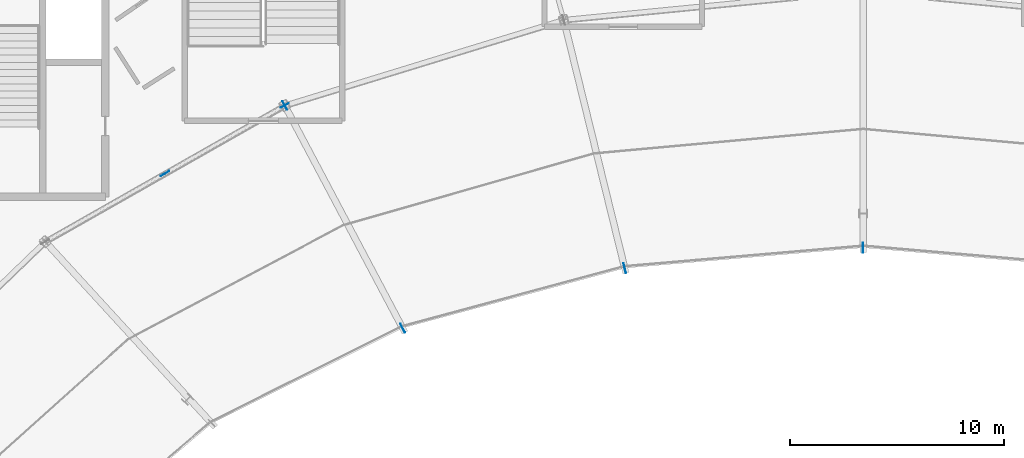
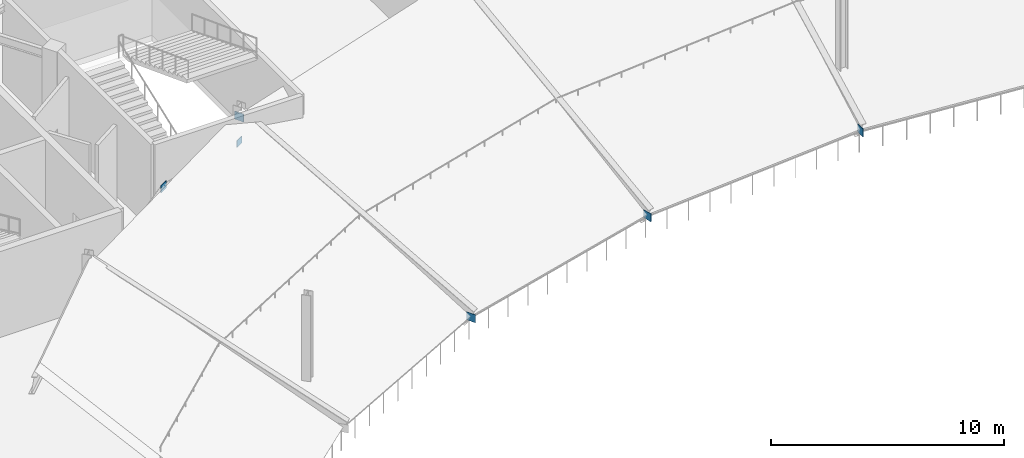
# One storey, part 26 of 63: 6 plates.
"""IFC4 building model written with IfcOpenShell, lengths in metres."""

from ifc_helpers import new_model, si_unit, direction, frame, origin, origin_2d, place, context, subcontext, project, spatial, rectangle, extrude, material, layer, layer_set, type_object, element, save


model = new_model("IFC4")

# Units and contexts
model_context = context("Model", 3, precision=1e-05, world=origin(), true_north=direction((0.0, 1.0)))
body_context = subcontext(model_context, "Body", "Model", "MODEL_VIEW")
ifc_project = project(units=[si_unit("LENGTHUNIT", "METRE"), si_unit("AREAUNIT", "SQUARE_METRE"), si_unit("VOLUMEUNIT", "CUBIC_METRE"), si_unit("PLANEANGLEUNIT", "RADIAN"), si_unit("MASSUNIT", "GRAM", prefix="KILO")], contexts=[model_context])

# Site, building, storey
site_placement = place(None, origin())
site = spatial("IfcSite", under=ifc_project, at=site_placement, CompositionType="ELEMENT")
building_placement = place(site_placement, origin())
building = spatial("IfcBuilding", under=site, at=building_placement, Name="Kalgoora Escarpment Arena", CompositionType="ELEMENT")
storey_placement = place(building_placement, frame((0.0, 0.0, 14.39990234375)))
storey = spatial("IfcBuildingStorey", under=building, at=storey_placement, Name="L03", CompositionType="ELEMENT", Elevation=14.39990234375)

# Plates
ifc_material = material(Name="Structural steel Grade 350 (350 MPa)", Category="steel")
ifc_layer = layer(ifc_material, 0.02490234375)
ifc_layer_set = layer_set([ifc_layer], Name="PLT-GUSSET-25")
plate_type = type_object("IfcPlateType", Name="PLT-GUSSET-25", PredefinedType="USERDEFINED", material=ifc_layer_set)
for number, where, z_axis, x_axis, name in (
    (1, (92.39990234375, 92.0, -2.509765625), (0.0, 0.0, 1.0), (0.0, 1.0, 0.0), "Upper bowl raker inner end plate R07"),
    (2, (81.270751953125, 91.0458984375, -2.509765625), (0.0, 0.0, 1.0), (-0.238533457579, 0.97113427991, 0.0), "Upper bowl raker inner end plate R08"),
    (3, (70.89990234375, 88.248779296875, -2.509765625), (0.0, 0.0, 1.0), (-0.467775560934, 0.883847285787, 0.0), "Upper bowl raker inner end plate R09"),
    (4, (65.39990234375, 98.64111328125, 3.64013671875), (0.0, 0.0, 1.0), (-0.467775560934, 0.883847285787, 0.0), "Upper bowl raker wall embedment plate R09"),
):
    element("IfcPlate", number, at=place(storey_placement, frame(where, z_axis=z_axis, x_axis=x_axis)), inside=storey, type_object=plate_type, Name=name, ObjectType="FLANGE PLATE", PredefinedType="USERDEFINED", context=body_context, shape_type="SweptSolid", body=[
        extrude(rectangle(XDim=0.4599609375, YDim=0.02490234375, at=origin_2d()), origin(), (0.0, 0.0, 1.0), 0.419921875),
    ])
plate_1_placement = place(storey_placement, frame((59.80810546875, 95.462646484375, 3.860107421875), z_axis=(0.0, 0.0, 1.0), x_axis=(-0.869408707144, -0.494093614554, 0.0)))
element("IfcPlate", 5, at=plate_1_placement, inside=storey, type_object=plate_type, Name="L03 chevron gusset cap plate R09", ObjectType="FLANGE PLATE", PredefinedType="USERDEFINED", context=body_context, shape_type="SweptSolid", body=[
    extrude(rectangle(XDim=0.4599609375, YDim=0.02490234375, at=origin_2d()), origin(), (0.0, 0.0, 1.0), 0.3798828125),
])
plate_2_placement = place(storey_placement, frame((65.39990234375, 98.64111328125, 2.33984375), z_axis=(0.0, 0.0, 1.0), x_axis=(-0.869494929505, -0.493941866584, 0.0)))
element("IfcPlate", 6, at=plate_2_placement, inside=storey, type_object=plate_type, Name="Brace and post end gusset plate 027", ObjectType="FLANGE PLATE", PredefinedType="USERDEFINED", context=body_context, shape_type="SweptSolid", body=[
    extrude(rectangle(XDim=0.419921875, YDim=0.02490234375, at=origin_2d()), origin(), (0.0, 0.0, 1.0), 0.360107421875),
])

save(model, "model.ifc")
